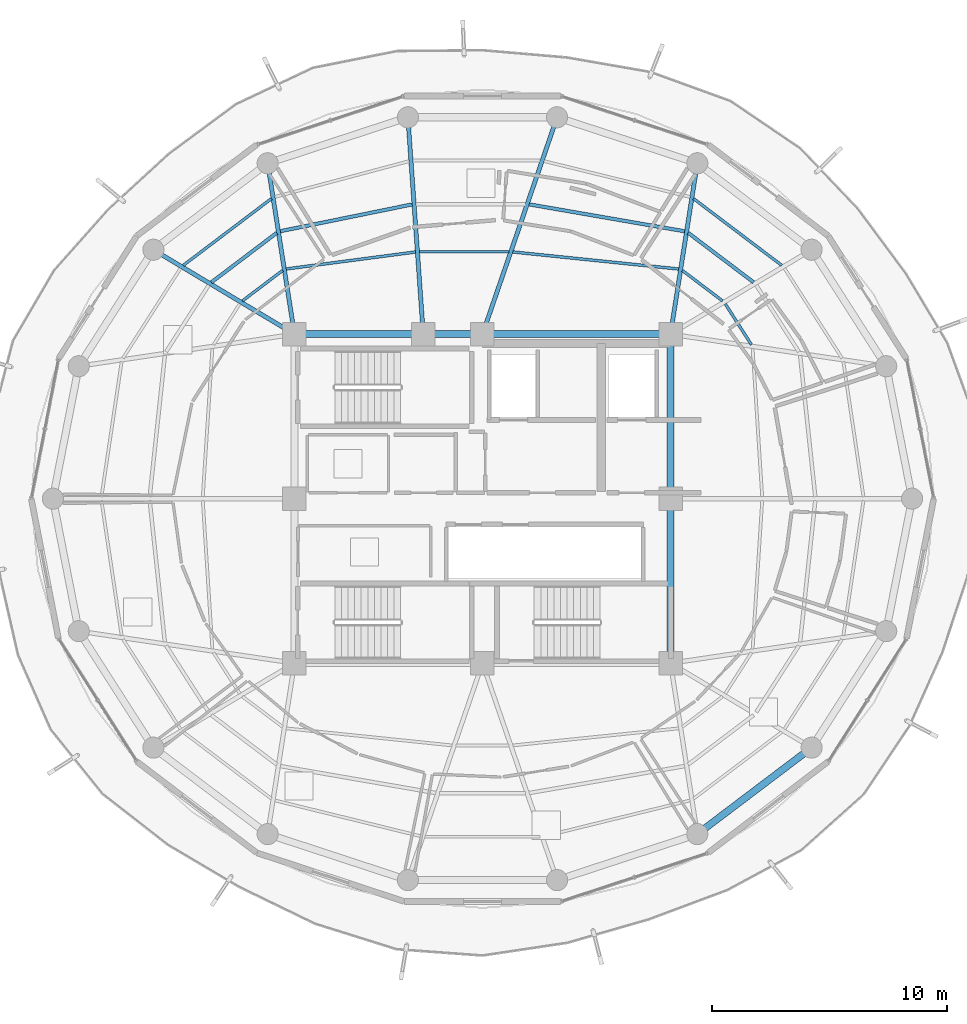
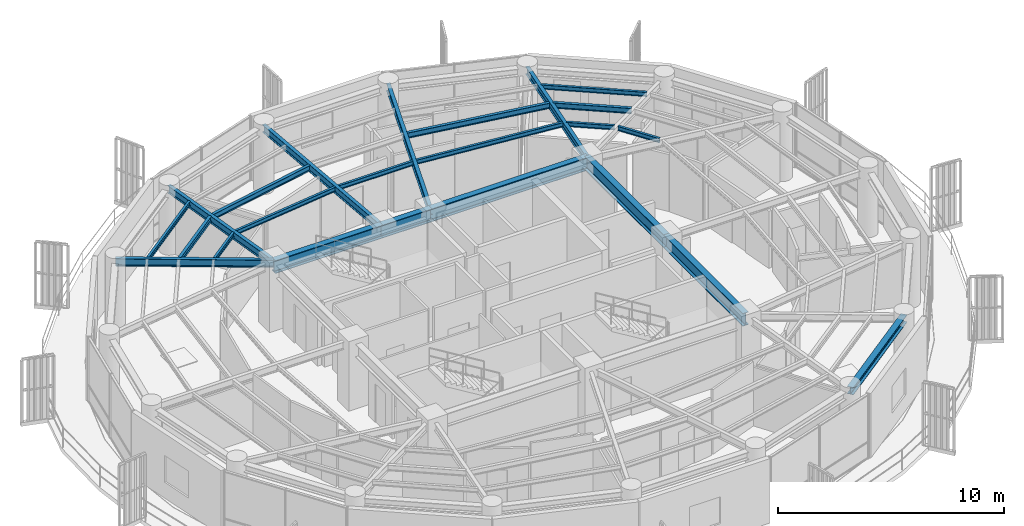
# One storey, part 8 of 22: 23 beams.
"""IFC4 building model written with IfcOpenShell, lengths in metres."""

from ifc_helpers import new_model, si_unit, direction, frame, origin, origin_2d, place, context, subcontext, project, spatial, i_section, extrude, material, material_profile, profile_set, type_object, element, save


model = new_model("IFC4")

# Units and contexts
model_context = context("Model", 3, precision=1e-05, world=origin(), true_north=direction((0.0, 1.0)))
body_context = subcontext(model_context, "Body", "Model", "MODEL_VIEW")
ifc_project = project(units=[si_unit("LENGTHUNIT", "METRE"), si_unit("AREAUNIT", "SQUARE_METRE"), si_unit("VOLUMEUNIT", "CUBIC_METRE"), si_unit("PLANEANGLEUNIT", "RADIAN"), si_unit("MASSUNIT", "GRAM", prefix="KILO")], contexts=[model_context])

# Site, building, storey
site_placement = place(None, origin())
site = spatial("IfcSite", under=ifc_project, at=site_placement, CompositionType="ELEMENT")
building_placement = place(site_placement, origin())
building = spatial("IfcBuilding", under=site, at=building_placement, Name="Kelanora Arch Commons", CompositionType="ELEMENT")
storey_placement = place(building_placement, frame((0.0, 0.0, 263.699951171875)))
storey = spatial("IfcBuildingStorey", under=building, at=storey_placement, Name="L67", CompositionType="ELEMENT", Elevation=263.699951171875)

# Beams
ifc_material = material(Name="Steel S355", Category="steel")
ifc_material_profile_1 = material_profile(ifc_material, i_section(OverallWidth=0.300048828125, OverallDepth=0.699951171875, WebThickness=0.01708984375, FlangeThickness=0.031982421875, FilletRadius=0.027099609375, at=origin_2d()), Name="HEB700")
ifc_profile_set_1 = profile_set([ifc_material_profile_1], Name="Steel S355")
beam_type_1 = type_object("IfcBeamType", Name="BM-CORE-HDR", PredefinedType="BEAM", material=ifc_profile_set_1)
for number, where, z_axis, x_axis, name in (
    (1, (82.0, 51.0, 3.14013671875), (0.0, 1.0, 0.0), (-1.0, 0.0, 0.0), "Core Header Beam 03 L67"),
    (2, (82.0, 58.0, 3.14013671875), (0.0, 1.0, 0.0), (-1.0, 0.0, 0.0), "Core Header Beam 04 L67"),
):
    element("IfcBeam", number, at=place(storey_placement, frame(where, z_axis=z_axis, x_axis=x_axis)), inside=storey, type_object=beam_type_1, Name=name, PredefinedType="BEAM", context=body_context, shape_type="SweptSolid", body=[
        extrude(i_section(OverallWidth=0.300048828125, OverallDepth=0.699951171875, WebThickness=0.01708984375, FlangeThickness=0.031982421875, FilletRadius=0.027099609375, at=origin_2d()), origin(), (0.0, 0.0, 1.0), 7.0),
    ])
beam_1_placement = place(storey_placement, frame((82.0, 65.0, 3.14013671875), z_axis=(-1.0, 0.0, 0.0), x_axis=(0.0, -1.0, 0.0)))
element("IfcBeam", 3, at=beam_1_placement, inside=storey, type_object=beam_type_1, Name="Core Header Beam 05 L67", PredefinedType="BEAM", context=body_context, shape_type="SweptSolid", body=[
    extrude(i_section(OverallWidth=0.300048828125, OverallDepth=0.699951171875, WebThickness=0.01708984375, FlangeThickness=0.031982421875, FilletRadius=0.027099609375, at=origin_2d()), origin(), (0.0, 0.0, 1.0), 8.0),
])
beam_2_placement = place(storey_placement, frame((74.0, 65.0, 3.14013671875), z_axis=(-1.0, 0.0, 0.0), x_axis=(0.0, -1.0, 0.0)))
element("IfcBeam", 4, at=beam_2_placement, inside=storey, type_object=beam_type_1, Name="Core Header Beam 06 L67", PredefinedType="BEAM", context=body_context, shape_type="SweptSolid", body=[
    extrude(i_section(OverallWidth=0.300048828125, OverallDepth=0.699951171875, WebThickness=0.01708984375, FlangeThickness=0.031982421875, FilletRadius=0.027099609375, at=origin_2d()), origin(), (0.0, 0.0, 1.0), 2.52001953125),
])
beam_3_placement = place(storey_placement, frame((71.47998046875, 65.0, 3.14013671875), z_axis=(-1.0, 0.0, 0.0), x_axis=(0.0, -1.0, 0.0)))
element("IfcBeam", 5, at=beam_3_placement, inside=storey, type_object=beam_type_1, Name="Core Header Beam 07 L67", PredefinedType="BEAM", context=body_context, shape_type="SweptSolid", body=[
    extrude(i_section(OverallWidth=0.300048828125, OverallDepth=0.699951171875, WebThickness=0.01708984375, FlangeThickness=0.031982421875, FilletRadius=0.027099609375, at=origin_2d()), origin(), (0.0, 0.0, 1.0), 5.47998046875),
])
ifc_material_profile_2 = material_profile(ifc_material, i_section(OverallWidth=0.14990234375, OverallDepth=0.300048828125, WebThickness=0.007080078125, FlangeThickness=0.0107421875, FilletRadius=0.014892578125, at=origin_2d()), Name="IPE300")
ifc_profile_set_2 = profile_set([ifc_material_profile_2], Name="Steel S355")
beam_type_2 = type_object("IfcBeamType", Name="BM-JST-01", PredefinedType="JOIST", material=ifc_profile_set_2)
beam_4_placement = place(storey_placement, frame((85.5341796875, 67.20703125, 3.340087890625), z_axis=(-0.797499198801, 0.603320004568, 0.0), x_axis=(-0.603320004568, -0.797499198801, 0.0)))
element("IfcBeam", 6, at=beam_4_placement, inside=storey, type_object=beam_type_2, Name="Secondary Chord Joist BJB-04 L67", PredefinedType="JOIST", context=body_context, shape_type="SweptSolid", body=[
    extrude(i_section(OverallWidth=0.14990234375, OverallDepth=0.300048828125, WebThickness=0.007080078125, FlangeThickness=0.0107421875, FilletRadius=0.014892578125, at=origin_2d()), origin(), (0.0, 0.0, 1.0), 3.489013671875),
])
beam_5_placement = place(storey_placement, frame((82.60009765625, 69.377685546875, 3.340087890625), z_axis=(-0.985321568263, 0.170708544357, 0.0), x_axis=(-0.170708544357, -0.985321568263, 0.0)))
element("IfcBeam", 7, at=beam_5_placement, inside=storey, type_object=beam_type_2, Name="Secondary Chord Joist BJB-06 L67", PredefinedType="JOIST", context=body_context, shape_type="SweptSolid", body=[
    extrude(i_section(OverallWidth=0.14990234375, OverallDepth=0.300048828125, WebThickness=0.007080078125, FlangeThickness=0.0107421875, FilletRadius=0.014892578125, at=origin_2d()), origin(), (0.0, 0.0, 1.0), 6.710205078125),
])
beam_6_placement = place(storey_placement, frame((71.004150390625, 70.520751953125, 3.340087890625), z_axis=(-0.979913482255, -0.199423086165, 0.0), x_axis=(0.199423086165, -0.979913482255, 0.0)))
element("IfcBeam", 8, at=beam_6_placement, inside=storey, type_object=beam_type_2, Name="Secondary Chord Joist BJB-10 L67", PredefinedType="JOIST", context=body_context, shape_type="SweptSolid", body=[
    extrude(i_section(OverallWidth=0.14990234375, OverallDepth=0.300048828125, WebThickness=0.007080078125, FlangeThickness=0.0107421875, FilletRadius=0.014892578125, at=origin_2d()), origin(), (0.0, 0.0, 1.0), 5.7197265625),
])
beam_7_placement = place(storey_placement, frame((65.248291015625, 69.31201171875, 3.340087890625), z_axis=(-0.797499198801, -0.603320004568, 0.0), x_axis=(0.603320004568, -0.797499198801, 0.0)))
element("IfcBeam", 9, at=beam_7_placement, inside=storey, type_object=beam_type_2, Name="Secondary Chord Joist BJB-12 L67", PredefinedType="JOIST", context=body_context, shape_type="SweptSolid", body=[
    extrude(i_section(OverallWidth=0.14990234375, OverallDepth=0.300048828125, WebThickness=0.007080078125, FlangeThickness=0.0107421875, FilletRadius=0.014892578125, at=origin_2d()), origin(), (0.0, 0.0, 1.0), 3.489013671875),
])
ifc_material_profile_3 = material_profile(ifc_material, i_section(OverallWidth=0.1201171875, OverallDepth=0.239990234375, WebThickness=0.006103515625, FlangeThickness=0.009765625, FilletRadius=0.014892578125, at=origin_2d()), Name="IPE240")
ifc_profile_set_3 = profile_set([ifc_material_profile_3], Name="Steel S355")
beam_type_3 = type_object("IfcBeamType", Name="BM-JST-02", PredefinedType="JOIST", material=ifc_profile_set_3)
beam_8_placement = place(storey_placement, frame((85.441650390625, 64.553466796875, 3.3701171875), z_axis=(-0.539311810315, 0.842106152011, 0.0), x_axis=(-0.842106152011, -0.539311810315, 0.0)))
element("IfcBeam", 10, at=beam_8_placement, inside=storey, type_object=beam_type_3, Name="Secondary Chord Joist BJA-02 L67", PredefinedType="JOIST", context=body_context, shape_type="SweptSolid", body=[
    extrude(i_section(OverallWidth=0.1201171875, OverallDepth=0.239990234375, WebThickness=0.006103515625, FlangeThickness=0.009765625, FilletRadius=0.014892578125, at=origin_2d()), origin(), (0.0, 0.0, 1.0), 2.06640625),
])
beam_9_placement = place(storey_placement, frame((84.21337890625, 66.416748046875, 3.3701171875), z_axis=(-0.797509883882, 0.603305880222, 0.0), x_axis=(-0.603305880222, -0.797509883882, 0.0)))
element("IfcBeam", 11, at=beam_9_placement, inside=storey, type_object=beam_type_3, Name="Secondary Chord Joist BJA-04 L67", PredefinedType="JOIST", context=body_context, shape_type="SweptSolid", body=[
    extrude(i_section(OverallWidth=0.1201171875, OverallDepth=0.239990234375, WebThickness=0.006103515625, FlangeThickness=0.009765625, FilletRadius=0.014892578125, at=origin_2d()), origin(), (0.0, 0.0, 1.0), 2.147216796875),
])
beam_10_placement = place(storey_placement, frame((86.73486328125, 67.92578125, 3.3701171875), z_axis=(-0.79752302984, 0.60328850219, 0.0), x_axis=(-0.60328850219, -0.79752302984, 0.0)))
element("IfcBeam", 12, at=beam_10_placement, inside=storey, type_object=beam_type_3, Name="Secondary Chord Joist BJC-04 L67", PredefinedType="JOIST", context=body_context, shape_type="SweptSolid", body=[
    extrude(i_section(OverallWidth=0.1201171875, OverallDepth=0.239990234375, WebThickness=0.006103515625, FlangeThickness=0.009765625, FilletRadius=0.014892578125, at=origin_2d()), origin(), (0.0, 0.0, 1.0), 4.70849609375),
])
beam_11_placement = place(storey_placement, frame((82.3486328125, 67.772216796875, 3.3701171875), z_axis=(-0.994746545688, 0.102368500239, 0.0), x_axis=(-0.102368500239, -0.994746545688, 0.0)))
element("IfcBeam", 13, at=beam_11_placement, inside=storey, type_object=beam_type_3, Name="Secondary Chord Joist BJA-06 L67", PredefinedType="JOIST", context=body_context, shape_type="SweptSolid", body=[
    extrude(i_section(OverallWidth=0.1201171875, OverallDepth=0.239990234375, WebThickness=0.006103515625, FlangeThickness=0.009765625, FilletRadius=0.014892578125, at=origin_2d()), origin(), (0.0, 0.0, 1.0), 7.09521484375),
])
beam_12_placement = place(storey_placement, frame((75.12109375, 68.507080078125, 3.3701171875), z_axis=(-1.0, 0.0, 0.0), x_axis=(0.0, -1.0, 0.0)))
element("IfcBeam", 14, at=beam_12_placement, inside=storey, type_object=beam_type_3, Name="Secondary Chord Joist BJA-08 L67", PredefinedType="JOIST", context=body_context, shape_type="SweptSolid", body=[
    extrude(i_section(OverallWidth=0.1201171875, OverallDepth=0.239990234375, WebThickness=0.006103515625, FlangeThickness=0.009765625, FilletRadius=0.014892578125, at=origin_2d()), origin(), (0.0, 0.0, 1.0), 3.8046875),
])
beam_13_placement = place(storey_placement, frame((71.147216796875, 68.49609375, 3.3701171875), z_axis=(-0.991489038745, -0.130190191832, 0.0), x_axis=(0.130190191832, -0.991489038745, 0.0)))
element("IfcBeam", 15, at=beam_13_placement, inside=storey, type_object=beam_type_3, Name="Secondary Chord Joist BJA-10 L67", PredefinedType="JOIST", context=body_context, shape_type="SweptSolid", body=[
    extrude(i_section(OverallWidth=0.1201171875, OverallDepth=0.239990234375, WebThickness=0.006103515625, FlangeThickness=0.009765625, FilletRadius=0.014892578125, at=origin_2d()), origin(), (0.0, 0.0, 1.0), 5.543212890625),
])
beam_14_placement = place(storey_placement, frame((65.4990234375, 67.712158203125, 3.3701171875), z_axis=(-0.797509883882, -0.603305880222, 0.0), x_axis=(0.603305880222, -0.797509883882, 0.0)))
element("IfcBeam", 16, at=beam_14_placement, inside=storey, type_object=beam_type_3, Name="Secondary Chord Joist BJA-12 L67", PredefinedType="JOIST", context=body_context, shape_type="SweptSolid", body=[
    extrude(i_section(OverallWidth=0.1201171875, OverallDepth=0.239990234375, WebThickness=0.006103515625, FlangeThickness=0.009765625, FilletRadius=0.014892578125, at=origin_2d()), origin(), (0.0, 0.0, 1.0), 2.147216796875),
])
beam_15_placement = place(storey_placement, frame((65.020263671875, 70.766357421875, 3.3701171875), z_axis=(-0.79752302984, -0.60328850219, 0.0), x_axis=(0.60328850219, -0.79752302984, 0.0)))
element("IfcBeam", 17, at=beam_15_placement, inside=storey, type_object=beam_type_3, Name="Secondary Chord Joist BJC-12 L67", PredefinedType="JOIST", context=body_context, shape_type="SweptSolid", body=[
    extrude(i_section(OverallWidth=0.1201171875, OverallDepth=0.239990234375, WebThickness=0.006103515625, FlangeThickness=0.009765625, FilletRadius=0.014892578125, at=origin_2d()), origin(), (0.0, 0.0, 1.0), 4.70849609375),
])
ifc_material_profile_4 = material_profile(ifc_material, i_section(OverallWidth=0.179931640625, OverallDepth=0.39990234375, WebThickness=0.008544921875, FlangeThickness=0.013427734375, FilletRadius=0.02099609375, at=origin_2d()), Name="IPE400")
ifc_profile_set_4 = profile_set([ifc_material_profile_4], Name="Steel S355")
beam_type_4 = type_object("IfcBeamType", Name="BM-RAD-Z5", PredefinedType="BEAM", material=ifc_profile_set_4)
beam_16_placement = place(storey_placement, frame((82.0, 65.0, 3.2900390625), z_axis=(0.154855424129, 0.987937142544, 0.0), x_axis=(-0.987937142544, 0.154855424129, 0.0)))
element("IfcBeam", 18, at=beam_16_placement, inside=storey, type_object=beam_type_4, Name="Radial Floor Girder BR-06 L67", PredefinedType="BEAM", context=body_context, shape_type="SweptSolid", body=[
    extrude(i_section(OverallWidth=0.179931640625, OverallDepth=0.39990234375, WebThickness=0.008544921875, FlangeThickness=0.013427734375, FilletRadius=0.02099609375, at=origin_2d()), origin(), (0.0, 0.0, 1.0), 7.361083984375),
])
beam_17_placement = place(storey_placement, frame((74.0, 65.0, 3.2900390625), z_axis=(0.325233562807, 0.945633718532, 0.0), x_axis=(-0.945633718532, 0.325233562807, 0.0)))
element("IfcBeam", 19, at=beam_17_placement, inside=storey, type_object=beam_type_4, Name="Radial Floor Girder BR-08 L67", PredefinedType="BEAM", context=body_context, shape_type="SweptSolid", body=[
    extrude(i_section(OverallWidth=0.179931640625, OverallDepth=0.39990234375, WebThickness=0.008544921875, FlangeThickness=0.013427734375, FilletRadius=0.02099609375, at=origin_2d()), origin(), (0.0, 0.0, 1.0), 9.760009765625),
])
beam_18_placement = place(storey_placement, frame((71.47998046875, 65.0, 3.2900390625), z_axis=(-0.070714497892, 0.997496596379, 0.0), x_axis=(-0.997496596379, -0.070714497892, 0.0)))
element("IfcBeam", 20, at=beam_18_placement, inside=storey, type_object=beam_type_4, Name="Radial Floor Girder BR-10 L67", PredefinedType="BEAM", context=body_context, shape_type="SweptSolid", body=[
    extrude(i_section(OverallWidth=0.179931640625, OverallDepth=0.39990234375, WebThickness=0.008544921875, FlangeThickness=0.013427734375, FilletRadius=0.02099609375, at=origin_2d()), origin(), (0.0, 0.0, 1.0), 9.252685546875),
])
beam_19_placement = place(storey_placement, frame((66.0, 65.0, 3.2900390625), z_axis=(-0.154855424129, 0.987937142544, 0.0), x_axis=(-0.987937142544, -0.154855424129, 0.0)))
element("IfcBeam", 21, at=beam_19_placement, inside=storey, type_object=beam_type_4, Name="Radial Floor Girder BR-12 L67", PredefinedType="BEAM", context=body_context, shape_type="SweptSolid", body=[
    extrude(i_section(OverallWidth=0.179931640625, OverallDepth=0.39990234375, WebThickness=0.008544921875, FlangeThickness=0.013427734375, FilletRadius=0.02099609375, at=origin_2d()), origin(), (0.0, 0.0, 1.0), 7.361083984375),
])
beam_20_placement = place(storey_placement, frame((66.0, 65.0, 3.2900390625), z_axis=(-0.858062005744, 0.513546097541, 0.0), x_axis=(-0.513546097541, -0.858062005744, 0.0)))
element("IfcBeam", 22, at=beam_20_placement, inside=storey, type_object=beam_type_4, Name="Radial Floor Girder BR-14 L67", PredefinedType="BEAM", context=body_context, shape_type="SweptSolid", body=[
    extrude(i_section(OverallWidth=0.179931640625, OverallDepth=0.39990234375, WebThickness=0.008544921875, FlangeThickness=0.013427734375, FilletRadius=0.02099609375, at=origin_2d()), origin(), (0.0, 0.0, 1.0), 6.99658203125),
])
ifc_material_profile_5 = material_profile(ifc_material, i_section(OverallWidth=0.300048828125, OverallDepth=0.39990234375, WebThickness=0.013427734375, FlangeThickness=0.02392578125, FilletRadius=0.027099609375, at=origin_2d()), Name="HEB400")
ifc_profile_set_5 = profile_set([ifc_material_profile_5], Name="Steel S355")
beam_type_5 = type_object("IfcBeamType", Name="BM-SPN-Z4", PredefinedType="SPANDREL", material=ifc_profile_set_5)
beam_21_placement = place(storey_placement, frame((83.139892578125, 43.727783203125, 3.2900390625), z_axis=(0.797509460967, 0.603306439273, 0.0), x_axis=(-0.603306439273, 0.797509460967, 0.0)))
element("IfcBeam", 23, at=beam_21_placement, inside=storey, type_object=beam_type_5, Name="Perimeter Spandrel Beam BS-30 L67", PredefinedType="SPANDREL", context=body_context, shape_type="SweptSolid", body=[
    extrude(i_section(OverallWidth=0.300048828125, OverallDepth=0.39990234375, WebThickness=0.013427734375, FlangeThickness=0.02392578125, FilletRadius=0.027099609375, at=origin_2d()), origin(), (0.0, 0.0, 1.0), 6.098388671875),
])

save(model, "model.ifc")
